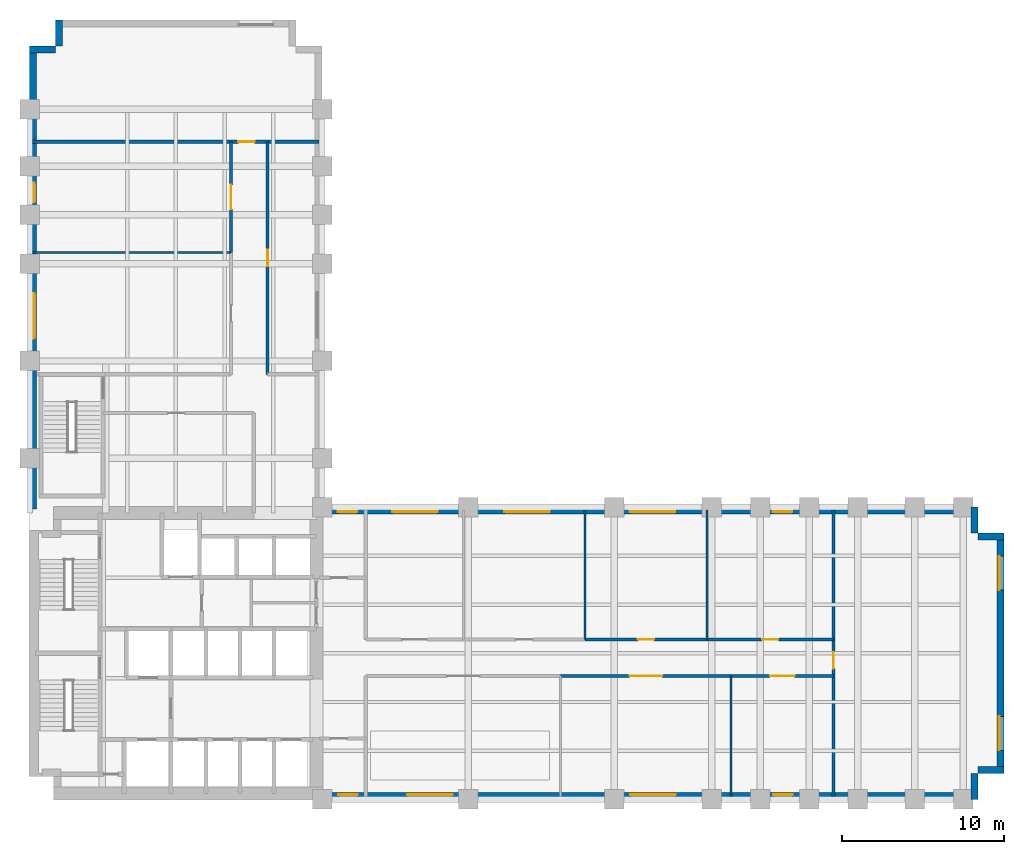
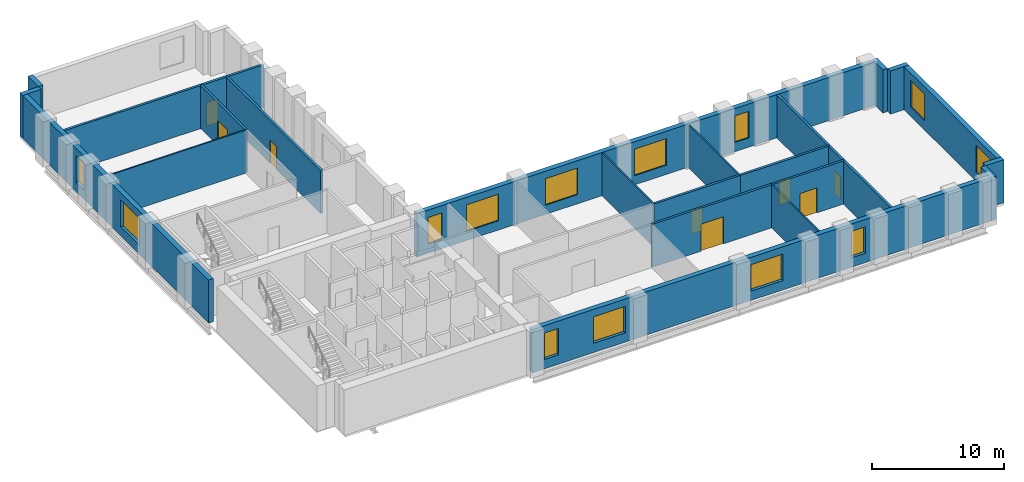
# One storey, part 5 of 7: 22 walls, 13 windows, 8 doors, 21 openings.
"""IFC4 building model written with IfcOpenShell, lengths in metres."""

from ifc_helpers import new_model, si_unit, direction, frame, frame_2d, origin, place, context, subcontext, project, spatial, rectangle, extrude, material, layer, layer_set, type_object, element, fill, save


model = new_model("IFC4")

# Units and contexts
model_context = context("Model", 3, precision=1e-05, world=origin(), true_north=direction((0.0, 1.0)))
body_context = subcontext(model_context, "Body", "Model", "MODEL_VIEW")
ifc_project = project(units=[si_unit("LENGTHUNIT", "METRE"), si_unit("AREAUNIT", "SQUARE_METRE"), si_unit("VOLUMEUNIT", "CUBIC_METRE"), si_unit("PLANEANGLEUNIT", "RADIAN"), si_unit("MASSUNIT", "GRAM", prefix="KILO")], contexts=[model_context])

# Site, building, storey
site_placement = place(None, origin())
site = spatial("IfcSite", under=ifc_project, at=site_placement, CompositionType="ELEMENT")
building_placement = place(site_placement, origin())
building = spatial("IfcBuilding", under=site, at=building_placement, Name="Mawjdan Bourse Tower", CompositionType="ELEMENT")
storey_placement = place(building_placement, frame((0.0, 0.0, 59.39990234375)))
storey = spatial("IfcBuildingStorey", under=building, at=storey_placement, Name="L13", CompositionType="ELEMENT", Elevation=59.39990234375)

# Wall, openings, windows
ifc_material_1 = material(Name="Brick Masonry Buff", Category="masonry")
ifc_layer_1 = layer(ifc_material_1, 0.419921875)
ifc_layer_set_1 = layer_set([ifc_layer_1], Name="Brick Masonry Buff")
wall_type_1 = type_object("IfcWallType", Name="WL-BRK-BUFF-420", PredefinedType="STANDARD", material=ifc_layer_set_1)
wall_1_placement = place(storey_placement, frame((23.89990234375, 3.2099609375, 0.0), z_axis=(0.0, 0.0, 1.0), x_axis=(1.0, 0.0, 0.0)))
wall_1 = element("IfcWall", 1, at=wall_1_placement, inside=storey, type_object=wall_type_1, Name="L13 Exterior Brick Wall 1", PredefinedType="STANDARD", context=body_context, shape_type="SweptSolid", body=[
    extrude(rectangle(XDim=40.5, YDim=0.419921875, at=frame_2d((20.25, 0.0))), origin(), (0.0, 0.0, 1.0), 3.97998046875),
])
opening_1_placement = place(wall_1_placement, frame((1.10009765625, 0.0, 0.85009765625)))
opening_1 = element("IfcOpeningElement", 2, at=opening_1_placement, cuts=wall_1, Name="Opening W-L13-07", PredefinedType="OPENING", context=body_context, shape_type="SweptSolid", body=[
    extrude(rectangle(XDim=1.199951171875, YDim=2.449951171875, at=frame_2d((0.60009765625, 1.22509765625))), frame((0.0, 0.219970703125, 0.0), z_axis=(0.0, -1.0, 0.0), x_axis=(1.0, 0.0, 0.0)), (0.0, 0.0, 1.0), 0.43994140625),
])
opening_2_placement = place(wall_1_placement, frame((5.336181640625, 0.0, 0.85009765625)))
opening_2 = element("IfcOpeningElement", 3, at=opening_2_placement, cuts=wall_1, Name="Opening W-L13-09", PredefinedType="OPENING", context=body_context, shape_type="SweptSolid", body=[
    extrude(rectangle(XDim=2.800048828125, YDim=2.449951171875, at=frame_2d((1.39990234375, 1.22509765625))), frame((0.0, 0.219970703125, 0.0), z_axis=(0.0, -1.0, 0.0), x_axis=(1.0, 0.0, 0.0)), (0.0, 0.0, 1.0), 0.43994140625),
])
opening_3_placement = place(wall_1_placement, frame((19.086181640625, 0.0, 0.85009765625)))
opening_3 = element("IfcOpeningElement", 4, at=opening_3_placement, cuts=wall_1, Name="Opening W-L13-10", PredefinedType="OPENING", context=body_context, shape_type="SweptSolid", body=[
    extrude(rectangle(XDim=2.800048828125, YDim=2.449951171875, at=frame_2d((1.39990234375, 1.22509765625))), frame((0.0, 0.219970703125, 0.0), z_axis=(0.0, -1.0, 0.0), x_axis=(1.0, 0.0, 0.0)), (0.0, 0.0, 1.0), 0.43994140625),
])
opening_4_placement = place(wall_1_placement, frame((27.88623046875, 0.0, 0.85009765625)))
opening_4 = element("IfcOpeningElement", 5, at=opening_4_placement, cuts=wall_1, Name="Opening W-L13-11", PredefinedType="OPENING", context=body_context, shape_type="SweptSolid", body=[
    extrude(rectangle(XDim=1.199951171875, YDim=2.449951171875, at=frame_2d((0.60009765625, 1.22509765625))), frame((0.0, 0.219970703125, 0.0), z_axis=(0.0, -1.0, 0.0), x_axis=(1.0, 0.0, 0.0)), (0.0, 0.0, 1.0), 0.43994140625),
])
ifc_material_2 = material(Name="Solar-Control Clear Double Glazing", Category="glass")
window_type_1 = type_object("IfcWindowType", Name="WN-TRD-1200", PartitioningType="SINGLE_PANEL", PredefinedType="WINDOW", material=ifc_material_2)
window_1_placement = place(opening_1_placement, origin())
window_1 = element("IfcWindow", 6, at=window_1_placement, inside=storey, type_object=window_type_1, Name="L13 Deep-Set Masonry Window W-L13-07", OverallHeight=2.449951171875, OverallWidth=1.199951171875, PartitioningType="SINGLE_PANEL", PredefinedType="WINDOW", context=body_context, shape_type="SweptSolid", body=[
    extrude(rectangle(XDim=1.199951171875, YDim=2.449951171875, at=frame_2d((0.60009765625, 1.22509765625))), frame((0.0, 0.110107421875, 0.0), z_axis=(0.0, -1.0, 0.0), x_axis=(1.0, 0.0, 0.0)), (0.0, 0.0, 1.0), 0.06005859375),
])
fill(opening_1, window_1)
window_2_placement = place(opening_4_placement, origin())
window_2 = element("IfcWindow", 7, at=window_2_placement, inside=storey, type_object=window_type_1, Name="L13 Deep-Set Masonry Window W-L13-11", OverallHeight=2.449951171875, OverallWidth=1.199951171875, PartitioningType="SINGLE_PANEL", PredefinedType="WINDOW", context=body_context, shape_type="SweptSolid", body=[
    extrude(rectangle(XDim=1.199951171875, YDim=2.449951171875, at=frame_2d((0.60009765625, 1.22509765625))), frame((0.0, 0.110107421875, 0.0), z_axis=(0.0, -1.0, 0.0), x_axis=(1.0, 0.0, 0.0)), (0.0, 0.0, 1.0), 0.06005859375),
])
fill(opening_4, window_2)
window_type_2 = type_object("IfcWindowType", Name="WN-TRD-2800", PartitioningType="SINGLE_PANEL", PredefinedType="WINDOW", material=ifc_material_2)
window_3_placement = place(opening_2_placement, origin())
window_3 = element("IfcWindow", 8, at=window_3_placement, inside=storey, type_object=window_type_2, Name="L13 Deep-Set Masonry Window W-L13-09", OverallHeight=2.449951171875, OverallWidth=2.800048828125, PartitioningType="SINGLE_PANEL", PredefinedType="WINDOW", context=body_context, shape_type="SweptSolid", body=[
    extrude(rectangle(XDim=2.800048828125, YDim=2.449951171875, at=frame_2d((1.39990234375, 1.22509765625))), frame((0.0, 0.110107421875, 0.0), z_axis=(0.0, -1.0, 0.0), x_axis=(1.0, 0.0, 0.0)), (0.0, 0.0, 1.0), 0.06005859375),
])
fill(opening_2, window_3)
window_4_placement = place(opening_3_placement, origin())
window_4 = element("IfcWindow", 9, at=window_4_placement, inside=storey, type_object=window_type_2, Name="L13 Deep-Set Masonry Window W-L13-10", OverallHeight=2.449951171875, OverallWidth=2.800048828125, PartitioningType="SINGLE_PANEL", PredefinedType="WINDOW", context=body_context, shape_type="SweptSolid", body=[
    extrude(rectangle(XDim=2.800048828125, YDim=2.449951171875, at=frame_2d((1.39990234375, 1.22509765625))), frame((0.0, 0.110107421875, 0.0), z_axis=(0.0, -1.0, 0.0), x_axis=(1.0, 0.0, 0.0)), (0.0, 0.0, 1.0), 0.06005859375),
])
fill(opening_3, window_4)

# Walls
for number, where, z_axis, x_axis, name in (
    (10, (64.18994140625, 3.0, 0.0), (0.0, 0.0, 1.0), (0.0, 1.0, 0.0), "L13 Exterior Brick Wall 2"),
    (11, (64.39990234375, 4.81005859375, 0.0), (0.0, 0.0, 1.0), (1.0, 0.0, 0.0), "L13 Exterior Brick Wall 3"),
):
    element("IfcWall", number, at=place(storey_placement, frame(where, z_axis=z_axis, x_axis=x_axis)), inside=storey, type_object=wall_type_1, Name=name, PredefinedType="STANDARD", context=body_context, shape_type="SweptSolid", body=[
        extrude(rectangle(XDim=1.60009765625, YDim=0.419921875, at=frame_2d((0.800048828125, 0.0))), origin(), (0.0, 0.0, 1.0), 3.97998046875),
    ])

# Wall, openings, windows
wall_2_placement = place(storey_placement, frame((65.7900390625, 4.60009765625, 0.0), z_axis=(0.0, 0.0, 1.0), x_axis=(0.0, 1.0, 0.0)))
wall_2 = element("IfcWall", 12, at=wall_2_placement, inside=storey, type_object=wall_type_1, Name="L13 Exterior Brick Wall 4", PredefinedType="STANDARD", context=body_context, shape_type="SweptSolid", body=[
    extrude(rectangle(XDim=14.7998046875, YDim=0.419921875, at=frame_2d((7.39990234375, 0.0))), origin(), (0.0, 0.0, 1.0), 3.97998046875),
])
opening_5_placement = place(wall_2_placement, frame((1.416748046875, 0.0, 0.85009765625)))
opening_5 = element("IfcOpeningElement", 13, at=opening_5_placement, cuts=wall_2, Name="Opening W-L13-01", PredefinedType="OPENING", context=body_context, shape_type="SweptSolid", body=[
    extrude(rectangle(XDim=2.10009765625, YDim=2.449951171875, at=frame_2d((1.050048828125, 1.22509765625))), frame((0.0, 0.219970703125, 0.0), z_axis=(0.0, -1.0, 0.0), x_axis=(1.0, 0.0, 0.0)), (0.0, 0.0, 1.0), 0.43994140625),
])
opening_6_placement = place(wall_2_placement, frame((11.283203125, 0.0, 0.85009765625)))
opening_6 = element("IfcOpeningElement", 14, at=opening_6_placement, cuts=wall_2, Name="Opening W-L13-02", PredefinedType="OPENING", context=body_context, shape_type="SweptSolid", body=[
    extrude(rectangle(XDim=2.10009765625, YDim=2.449951171875, at=frame_2d((1.050048828125, 1.22509765625))), frame((0.0, 0.219970703125, 0.0), z_axis=(0.0, -1.0, 0.0), x_axis=(1.0, 0.0, 0.0)), (0.0, 0.0, 1.0), 0.43994140625),
])
window_type_3 = type_object("IfcWindowType", Name="WN-TRD-2100", PartitioningType="SINGLE_PANEL", PredefinedType="WINDOW", material=ifc_material_2)
window_5_placement = place(opening_5_placement, origin())
window_5 = element("IfcWindow", 15, at=window_5_placement, inside=storey, type_object=window_type_3, Name="L13 Deep-Set Masonry Window W-L13-01", OverallHeight=2.449951171875, OverallWidth=2.10009765625, PartitioningType="SINGLE_PANEL", PredefinedType="WINDOW", context=body_context, shape_type="SweptSolid", body=[
    extrude(rectangle(XDim=2.10009765625, YDim=2.449951171875, at=frame_2d((1.050048828125, 1.22509765625))), frame((0.0, 0.110107421875, 0.0), z_axis=(0.0, -1.0, 0.0), x_axis=(1.0, 0.0, 0.0)), (0.0, 0.0, 1.0), 0.06005859375),
])
fill(opening_5, window_5)
window_6_placement = place(opening_6_placement, origin())
window_6 = element("IfcWindow", 16, at=window_6_placement, inside=storey, type_object=window_type_3, Name="L13 Deep-Set Masonry Window W-L13-02", OverallHeight=2.449951171875, OverallWidth=2.10009765625, PartitioningType="SINGLE_PANEL", PredefinedType="WINDOW", context=body_context, shape_type="SweptSolid", body=[
    extrude(rectangle(XDim=2.10009765625, YDim=2.449951171875, at=frame_2d((1.050048828125, 1.22509765625))), frame((0.0, 0.110107421875, 0.0), z_axis=(0.0, -1.0, 0.0), x_axis=(1.0, 0.0, 0.0)), (0.0, 0.0, 1.0), 0.06005859375),
])
fill(opening_6, window_6)

# Walls
for number, where, z_axis, x_axis, name in (
    (17, (66.0, 19.18994140625, 0.0), (0.0, 0.0, 1.0), (-1.0, 0.0, 0.0), "L13 Exterior Brick Wall 5"),
    (18, (64.18994140625, 19.39990234375, 0.0), (0.0, 0.0, 1.0), (0.0, 1.0, 0.0), "L13 Exterior Brick Wall 6"),
):
    element("IfcWall", number, at=place(storey_placement, frame(where, z_axis=z_axis, x_axis=x_axis)), inside=storey, type_object=wall_type_1, Name=name, PredefinedType="STANDARD", context=body_context, shape_type="SweptSolid", body=[
        extrude(rectangle(XDim=1.60009765625, YDim=0.419921875, at=frame_2d((0.800048828125, 0.0))), origin(), (0.0, 0.0, 1.0), 3.97998046875),
    ])

# Wall, openings, windows
wall_3_placement = place(storey_placement, frame((64.39990234375, 20.7900390625, 0.0), z_axis=(0.0, 0.0, 1.0), x_axis=(-1.0, 0.0, 0.0)))
wall_3 = element("IfcWall", 19, at=wall_3_placement, inside=storey, type_object=wall_type_1, Name="L13 Exterior Brick Wall 7", PredefinedType="STANDARD", context=body_context, shape_type="SweptSolid", body=[
    extrude(rectangle(XDim=40.39990234375, YDim=0.419921875, at=frame_2d((20.199951171875, 0.0))), origin(), (0.0, 0.0, 1.0), 3.97998046875),
])
opening_7_placement = place(wall_3_placement, frame((26.375, 0.0, 0.85009765625)))
opening_7 = element("IfcOpeningElement", 20, at=opening_7_placement, cuts=wall_3, Name="Opening W-L13-03", PredefinedType="OPENING", context=body_context, shape_type="SweptSolid", body=[
    extrude(rectangle(XDim=2.800048828125, YDim=2.449951171875, at=frame_2d((1.39990234375, 1.22509765625))), frame((0.0, 0.219970703125, 0.0), z_axis=(0.0, -1.0, 0.0), x_axis=(1.0, 0.0, 0.0)), (0.0, 0.0, 1.0), 0.43994140625),
])
opening_8_placement = place(wall_3_placement, frame((38.22216796875, 0.0, 0.85009765625)))
opening_8 = element("IfcOpeningElement", 21, at=opening_8_placement, cuts=wall_3, Name="Opening W-L13-08", PredefinedType="OPENING", context=body_context, shape_type="SweptSolid", body=[
    extrude(rectangle(XDim=1.199951171875, YDim=2.449951171875, at=frame_2d((0.60009765625, 1.22509765625))), frame((0.0, 0.219970703125, 0.0), z_axis=(0.0, -1.0, 0.0), x_axis=(1.0, 0.0, 0.0)), (0.0, 0.0, 1.0), 0.43994140625),
])
opening_9_placement = place(wall_3_placement, frame((33.2861328125, 0.0, 0.85009765625)))
opening_9 = element("IfcOpeningElement", 22, at=opening_9_placement, cuts=wall_3, Name="Opening W-L13-12", PredefinedType="OPENING", context=body_context, shape_type="SweptSolid", body=[
    extrude(rectangle(XDim=2.800048828125, YDim=2.449951171875, at=frame_2d((1.39990234375, 1.22509765625))), frame((0.0, 0.219970703125, 0.0), z_axis=(0.0, -1.0, 0.0), x_axis=(1.0, 0.0, 0.0)), (0.0, 0.0, 1.0), 0.43994140625),
])
opening_10_placement = place(wall_3_placement, frame((18.63623046875, 0.0, 0.85009765625)))
opening_10 = element("IfcOpeningElement", 23, at=opening_10_placement, cuts=wall_3, Name="Opening W-L13-13", PredefinedType="OPENING", context=body_context, shape_type="SweptSolid", body=[
    extrude(rectangle(XDim=2.800048828125, YDim=2.449951171875, at=frame_2d((1.39990234375, 1.22509765625))), frame((0.0, 0.219970703125, 0.0), z_axis=(0.0, -1.0, 0.0), x_axis=(1.0, 0.0, 0.0)), (0.0, 0.0, 1.0), 0.43994140625),
])
opening_11_placement = place(wall_3_placement, frame((11.436279296875, 0.0, 0.85009765625)))
opening_11 = element("IfcOpeningElement", 24, at=opening_11_placement, cuts=wall_3, Name="Opening W-L13-14", PredefinedType="OPENING", context=body_context, shape_type="SweptSolid", body=[
    extrude(rectangle(XDim=1.199951171875, YDim=2.449951171875, at=frame_2d((0.60009765625, 1.22509765625))), frame((0.0, 0.219970703125, 0.0), z_axis=(0.0, -1.0, 0.0), x_axis=(1.0, 0.0, 0.0)), (0.0, 0.0, 1.0), 0.43994140625),
])
window_7_placement = place(opening_8_placement, origin())
window_7 = element("IfcWindow", 25, at=window_7_placement, inside=storey, type_object=window_type_1, Name="L13 Deep-Set Masonry Window W-L13-08", OverallHeight=2.449951171875, OverallWidth=1.199951171875, PartitioningType="SINGLE_PANEL", PredefinedType="WINDOW", context=body_context, shape_type="SweptSolid", body=[
    extrude(rectangle(XDim=1.199951171875, YDim=2.449951171875, at=frame_2d((0.60009765625, 1.22509765625))), frame((0.0, 0.110107421875, 0.0), z_axis=(0.0, -1.0, 0.0), x_axis=(1.0, 0.0, 0.0)), (0.0, 0.0, 1.0), 0.06005859375),
])
fill(opening_8, window_7)
window_8_placement = place(opening_11_placement, origin())
window_8 = element("IfcWindow", 26, at=window_8_placement, inside=storey, type_object=window_type_1, Name="L13 Deep-Set Masonry Window W-L13-14", OverallHeight=2.449951171875, OverallWidth=1.199951171875, PartitioningType="SINGLE_PANEL", PredefinedType="WINDOW", context=body_context, shape_type="SweptSolid", body=[
    extrude(rectangle(XDim=1.199951171875, YDim=2.449951171875, at=frame_2d((0.60009765625, 1.22509765625))), frame((0.0, 0.110107421875, 0.0), z_axis=(0.0, -1.0, 0.0), x_axis=(1.0, 0.0, 0.0)), (0.0, 0.0, 1.0), 0.06005859375),
])
fill(opening_11, window_8)
window_9_placement = place(opening_7_placement, origin())
window_9 = element("IfcWindow", 27, at=window_9_placement, inside=storey, type_object=window_type_2, Name="L13 Deep-Set Masonry Window W-L13-03", OverallHeight=2.449951171875, OverallWidth=2.800048828125, PartitioningType="SINGLE_PANEL", PredefinedType="WINDOW", context=body_context, shape_type="SweptSolid", body=[
    extrude(rectangle(XDim=2.800048828125, YDim=2.449951171875, at=frame_2d((1.39990234375, 1.22509765625))), frame((0.0, 0.110107421875, 0.0), z_axis=(0.0, -1.0, 0.0), x_axis=(1.0, 0.0, 0.0)), (0.0, 0.0, 1.0), 0.06005859375),
])
fill(opening_7, window_9)
window_10_placement = place(opening_9_placement, origin())
window_10 = element("IfcWindow", 28, at=window_10_placement, inside=storey, type_object=window_type_2, Name="L13 Deep-Set Masonry Window W-L13-12", OverallHeight=2.449951171875, OverallWidth=2.800048828125, PartitioningType="SINGLE_PANEL", PredefinedType="WINDOW", context=body_context, shape_type="SweptSolid", body=[
    extrude(rectangle(XDim=2.800048828125, YDim=2.449951171875, at=frame_2d((1.39990234375, 1.22509765625))), frame((0.0, 0.110107421875, 0.0), z_axis=(0.0, -1.0, 0.0), x_axis=(1.0, 0.0, 0.0)), (0.0, 0.0, 1.0), 0.06005859375),
])
fill(opening_9, window_10)
window_11_placement = place(opening_10_placement, origin())
window_11 = element("IfcWindow", 29, at=window_11_placement, inside=storey, type_object=window_type_2, Name="L13 Deep-Set Masonry Window W-L13-13", OverallHeight=2.449951171875, OverallWidth=2.800048828125, PartitioningType="SINGLE_PANEL", PredefinedType="WINDOW", context=body_context, shape_type="SweptSolid", body=[
    extrude(rectangle(XDim=2.800048828125, YDim=2.449951171875, at=frame_2d((1.39990234375, 1.22509765625))), frame((0.0, 0.110107421875, 0.0), z_axis=(0.0, -1.0, 0.0), x_axis=(1.0, 0.0, 0.0)), (0.0, 0.0, 1.0), 0.06005859375),
])
fill(opening_10, window_11)

# Walls
for number, where, z_axis, x_axis, name in (
    (30, (7.81005859375, 51.0, 0.0), (0.0, 0.0, 1.0), (0.0, -1.0, 0.0), "L13 Exterior Brick Wall 12"),
    (31, (7.60009765625, 49.18994140625, 0.0), (0.0, 0.0, 1.0), (-1.0, 0.0, 0.0), "L13 Exterior Brick Wall 13"),
):
    element("IfcWall", number, at=place(storey_placement, frame(where, z_axis=z_axis, x_axis=x_axis)), inside=storey, type_object=wall_type_1, Name=name, PredefinedType="STANDARD", context=body_context, shape_type="SweptSolid", body=[
        extrude(rectangle(XDim=1.60009765625, YDim=0.419921875, at=frame_2d((0.800048828125, 0.0))), origin(), (0.0, 0.0, 1.0), 3.97998046875),
    ])

# Wall, openings, windows
wall_4_placement = place(storey_placement, frame((6.2099609375, 49.39990234375, 0.0), z_axis=(0.0, 0.0, 1.0), x_axis=(0.0, -1.0, 0.0)))
wall_4 = element("IfcWall", 32, at=wall_4_placement, inside=storey, type_object=wall_type_1, Name="L13 Exterior Brick Wall 14", PredefinedType="STANDARD", context=body_context, shape_type="SweptSolid", body=[
    extrude(rectangle(XDim=28.5, YDim=0.419921875, at=frame_2d((14.25, 0.0))), origin(), (0.0, 0.0, 1.0), 3.97998046875),
])
opening_12_placement = place(wall_4_placement, frame((15.22509765625, 0.0, 0.85009765625)))
opening_12 = element("IfcOpeningElement", 33, at=opening_12_placement, cuts=wall_4, Name="Opening W-L13-06", PredefinedType="OPENING", context=body_context, shape_type="SweptSolid", body=[
    extrude(rectangle(XDim=2.800048828125, YDim=2.449951171875, at=frame_2d((1.39990234375, 1.22509765625))), frame((0.0, 0.219970703125, 0.0), z_axis=(0.0, -1.0, 0.0), x_axis=(1.0, 0.0, 0.0)), (0.0, 0.0, 1.0), 0.43994140625),
])
opening_13_placement = place(wall_4_placement, frame((8.436279296875, 0.0, 0.85009765625)))
opening_13 = element("IfcOpeningElement", 34, at=opening_13_placement, cuts=wall_4, Name="Opening W-L13-15", PredefinedType="OPENING", context=body_context, shape_type="SweptSolid", body=[
    extrude(rectangle(XDim=1.199951171875, YDim=2.449951171875, at=frame_2d((0.60009765625, 1.22509765625))), frame((0.0, 0.219970703125, 0.0), z_axis=(0.0, -1.0, 0.0), x_axis=(1.0, 0.0, 0.0)), (0.0, 0.0, 1.0), 0.43994140625),
])
window_12_placement = place(opening_13_placement, origin())
window_12 = element("IfcWindow", 35, at=window_12_placement, inside=storey, type_object=window_type_1, Name="L13 Deep-Set Masonry Window W-L13-15", OverallHeight=2.449951171875, OverallWidth=1.199951171875, PartitioningType="SINGLE_PANEL", PredefinedType="WINDOW", context=body_context, shape_type="SweptSolid", body=[
    extrude(rectangle(XDim=1.199951171875, YDim=2.449951171875, at=frame_2d((0.60009765625, 1.22509765625))), frame((0.0, 0.110107421875, 0.0), z_axis=(0.0, -1.0, 0.0), x_axis=(1.0, 0.0, 0.0)), (0.0, 0.0, 1.0), 0.06005859375),
])
fill(opening_13, window_12)
window_13_placement = place(opening_12_placement, origin())
window_13 = element("IfcWindow", 36, at=window_13_placement, inside=storey, type_object=window_type_2, Name="L13 Deep-Set Masonry Window W-L13-06", OverallHeight=2.449951171875, OverallWidth=2.800048828125, PartitioningType="SINGLE_PANEL", PredefinedType="WINDOW", context=body_context, shape_type="SweptSolid", body=[
    extrude(rectangle(XDim=2.800048828125, YDim=2.449951171875, at=frame_2d((1.39990234375, 1.22509765625))), frame((0.0, 0.110107421875, 0.0), z_axis=(0.0, -1.0, 0.0), x_axis=(1.0, 0.0, 0.0)), (0.0, 0.0, 1.0), 0.06005859375),
])
fill(opening_12, window_13)

# Wall, opening, door
ifc_material_3 = material(Name="Gypsum Fireboard Assembly")
ifc_layer_2 = layer(ifc_material_3, 0.199951171875)
ifc_layer_set_2 = layer_set([ifc_layer_2], Name="Gypsum Fireboard Assembly")
wall_type_2 = type_object("IfcWallType", Name="WL-CMP-200", PredefinedType="PARTITIONING", material=ifc_layer_set_2)
wall_5_placement = place(storey_placement, frame((38.699951171875, 10.60009765625, 0.0), z_axis=(0.0, 0.0, 1.0), x_axis=(1.0, 0.0, 0.0)))
wall_5 = element("IfcWall", 37, at=wall_5_placement, inside=storey, type_object=wall_type_2, Name="L13 Commodities Dealing Hall Corridor Wall", PredefinedType="PARTITIONING", context=body_context, shape_type="SweptSolid", body=[
    extrude(rectangle(XDim=10.5, YDim=0.199951171875, at=frame_2d((5.25, 0.0))), origin(), (0.0, 0.0, 1.0), 3.97021484375),
])
opening_14_placement = place(wall_5_placement, frame((4.25, 0.0, 0.0)))
opening_14 = element("IfcOpeningElement", 38, at=opening_14_placement, cuts=wall_5, Name="Opening D-L13-21", PredefinedType="OPENING", context=body_context, shape_type="SweptSolid", body=[
    extrude(rectangle(XDim=2.0, YDim=2.5, at=frame_2d((1.0, 1.25))), frame((0.0, 0.10986328125, 0.0), z_axis=(0.0, -1.0, 0.0), x_axis=(1.0, 0.0, 0.0)), (0.0, 0.0, 1.0), 0.219970703125),
])
ifc_material_4 = material(Name="Acoustic Veneered Timber", Category="wood")
door_type_1 = type_object("IfcDoorType", Name="DR-ASM-2000", OperationType="DOUBLE_DOOR_SINGLE_SWING", PredefinedType="DOOR", material=ifc_material_4)
door_1_placement = place(opening_14_placement, origin())
door_1 = element("IfcDoor", 39, at=door_1_placement, inside=storey, type_object=door_type_1, Name="L13 Commodities Dealing Hall Door D-L13-21", OperationType="DOUBLE_DOOR_SINGLE_SWING", OverallHeight=2.5, OverallWidth=2.0, PredefinedType="DOOR", context=body_context, shape_type="SweptSolid", body=[
    extrude(rectangle(XDim=2.0, YDim=2.5, at=frame_2d((1.0, 1.25))), frame((0.0, 0.02490234375, 0.0), z_axis=(0.0, -1.0, 0.0), x_axis=(1.0, 0.0, 0.0)), (0.0, 0.0, 1.0), 0.050048828125),
])
fill(opening_14, door_1)

wall_6_placement = place(storey_placement, frame((49.199951171875, 10.60009765625, 0.0), z_axis=(0.0, 0.0, 1.0), x_axis=(1.0, 0.0, 0.0)))
wall_6 = element("IfcWall", 40, at=wall_6_placement, inside=storey, type_object=wall_type_2, Name="L13 Conference Room Corridor Wall", PredefinedType="PARTITIONING", context=body_context, shape_type="SweptSolid", body=[
    extrude(rectangle(XDim=6.300048828125, YDim=0.199951171875, at=frame_2d((3.14990234375, 0.0))), origin(), (0.0, 0.0, 1.0), 3.97021484375),
])
opening_15_placement = place(wall_6_placement, frame((2.39990234375, 0.0, 0.0)))
opening_15 = element("IfcOpeningElement", 41, at=opening_15_placement, cuts=wall_6, Name="Opening D-L13-22", PredefinedType="OPENING", context=body_context, shape_type="SweptSolid", body=[
    extrude(rectangle(XDim=1.5, YDim=2.300048828125, at=frame_2d((0.75, 1.14990234375))), frame((0.0, 0.10986328125, 0.0), z_axis=(0.0, -1.0, 0.0), x_axis=(1.0, 0.0, 0.0)), (0.0, 0.0, 1.0), 0.219970703125),
])
ifc_material_5 = material(Name="Acoustic Glazed Timber", Category="wood")
door_type_2 = type_object("IfcDoorType", Name="DR-CNF-1500", OperationType="DOUBLE_DOOR_SINGLE_SWING", PredefinedType="DOOR", material=ifc_material_5)
door_2_placement = place(opening_15_placement, origin())
door_2 = element("IfcDoor", 42, at=door_2_placement, inside=storey, type_object=door_type_2, Name="L13 Conference Room Door D-L13-22", OperationType="DOUBLE_DOOR_SINGLE_SWING", OverallHeight=2.300048828125, OverallWidth=1.5, PredefinedType="DOOR", context=body_context, shape_type="SweptSolid", body=[
    extrude(rectangle(XDim=1.5, YDim=2.300048828125, at=frame_2d((0.75, 1.14990234375))), frame((0.0, 0.02490234375, 0.0), z_axis=(0.0, -1.0, 0.0), x_axis=(1.0, 0.0, 0.0)), (0.0, 0.0, 1.0), 0.050048828125),
])
fill(opening_15, door_2)

wall_7_placement = place(storey_placement, frame((40.199951171875, 12.85009765625, 0.0), z_axis=(0.0, 0.0, 1.0), x_axis=(1.0, 0.0, 0.0)))
wall_7 = element("IfcWall", 43, at=wall_7_placement, inside=storey, type_object=wall_type_2, Name="L13 Executive Office Corridor Wall", PredefinedType="PARTITIONING", context=body_context, shape_type="SweptSolid", body=[
    extrude(rectangle(XDim=7.5, YDim=0.199951171875, at=frame_2d((3.75, 0.0))), origin(), (0.0, 0.0, 1.0), 3.97021484375),
])
opening_16_placement = place(wall_7_placement, frame((3.25, 0.0, 0.0)))
opening_16 = element("IfcOpeningElement", 44, at=opening_16_placement, cuts=wall_7, Name="Opening D-L13-25", PredefinedType="OPENING", context=body_context, shape_type="SweptSolid", body=[
    extrude(rectangle(XDim=1.0, YDim=2.14990234375, at=frame_2d((0.5, 1.074951171875))), frame((0.0, 0.10986328125, 0.0), z_axis=(0.0, -1.0, 0.0), x_axis=(1.0, 0.0, 0.0)), (0.0, 0.0, 1.0), 0.219970703125),
])
ifc_material_6 = material(Name="Hardwood Acoustic Leaf", Category="wood")
door_type_3 = type_object("IfcDoorType", Name="DR-OFC-1000", OperationType="NOTDEFINED", PredefinedType="DOOR", material=ifc_material_6)
door_3_placement = place(opening_16_placement, origin())
door_3 = element("IfcDoor", 45, at=door_3_placement, inside=storey, type_object=door_type_3, Name="L13 Executive Office Door D-L13-25", OperationType="SINGLE_SWING_LEFT", OverallHeight=2.14990234375, OverallWidth=1.0, PredefinedType="DOOR", context=body_context, shape_type="SweptSolid", body=[
    extrude(rectangle(XDim=1.0, YDim=2.14990234375, at=frame_2d((0.5, 1.074951171875))), frame((0.0, 0.02490234375, 0.0), z_axis=(0.0, -1.0, 0.0), x_axis=(1.0, 0.0, 0.0)), (0.0, 0.0, 1.0), 0.050048828125),
])
fill(opening_16, door_3)

wall_8_placement = place(storey_placement, frame((47.699951171875, 12.85009765625, 0.0), z_axis=(0.0, 0.0, 1.0), x_axis=(1.0, 0.0, 0.0)))
wall_8 = element("IfcWall", 46, at=wall_8_placement, inside=storey, type_object=wall_type_2, Name="L13 Document Archive Store Corridor Wall", PredefinedType="PARTITIONING", context=body_context, shape_type="SweptSolid", body=[
    extrude(rectangle(XDim=7.800048828125, YDim=0.199951171875, at=frame_2d((3.89990234375, 0.0))), origin(), (0.0, 0.0, 1.0), 3.97021484375),
])
opening_17_placement = place(wall_8_placement, frame((3.39990234375, 0.0, 0.0)))
opening_17 = element("IfcOpeningElement", 47, at=opening_17_placement, cuts=wall_8, Name="Opening D-L13-26", PredefinedType="OPENING", context=body_context, shape_type="SweptSolid", body=[
    extrude(rectangle(XDim=1.0, YDim=2.14990234375, at=frame_2d((0.5, 1.074951171875))), frame((0.0, 0.10986328125, 0.0), z_axis=(0.0, -1.0, 0.0), x_axis=(1.0, 0.0, 0.0)), (0.0, 0.0, 1.0), 0.219970703125),
])
door_4_placement = place(opening_17_placement, origin())
door_4 = element("IfcDoor", 48, at=door_4_placement, inside=storey, type_object=door_type_3, Name="L13 Document Archive Store Door D-L13-26", OperationType="SINGLE_SWING_RIGHT", OverallHeight=2.14990234375, OverallWidth=1.0, PredefinedType="DOOR", context=body_context, shape_type="SweptSolid", body=[
    extrude(rectangle(XDim=1.0, YDim=2.14990234375, at=frame_2d((0.5, 1.074951171875))), frame((0.0, 0.02490234375, 0.0), z_axis=(0.0, -1.0, 0.0), x_axis=(1.0, 0.0, 0.0)), (0.0, 0.0, 1.0), 0.050048828125),
])
fill(opening_17, door_4)

wall_9_placement = place(storey_placement, frame((55.5, 3.179931640625, 0.0), z_axis=(0.0, 0.0, 1.0), x_axis=(0.0, 1.0, 0.0)))
wall_9 = element("IfcWall", 49, at=wall_9_placement, inside=storey, type_object=wall_type_2, Name="L13 East Tip Full Cross Wall", PredefinedType="PARTITIONING", context=body_context, shape_type="SweptSolid", body=[
    extrude(rectangle(XDim=17.64013671875, YDim=0.199951171875, at=frame_2d((8.820068359375, 0.0))), origin(), (0.0, 0.0, 1.0), 3.97021484375),
])
opening_18_placement = place(wall_9_placement, frame((7.875, 0.0, 0.0)))
opening_18 = element("IfcOpeningElement", 50, at=opening_18_placement, cuts=wall_9, Name="Opening D-L13-27", PredefinedType="OPENING", context=body_context, shape_type="SweptSolid", body=[
    extrude(rectangle(XDim=1.0, YDim=2.14990234375, at=frame_2d((0.5, 1.074951171875))), frame((0.0, 0.10986328125, 0.0), z_axis=(0.0, -1.0, 0.0), x_axis=(1.0, 0.0, 0.0)), (0.0, 0.0, 1.0), 0.219970703125),
])
door_5_placement = place(opening_18_placement, origin())
door_5 = element("IfcDoor", 51, at=door_5_placement, inside=storey, type_object=door_type_3, Name="L13 East Tip Hall Door D-L13-27", OperationType="SINGLE_SWING_LEFT", OverallHeight=2.14990234375, OverallWidth=1.0, PredefinedType="DOOR", context=body_context, shape_type="SweptSolid", body=[
    extrude(rectangle(XDim=1.0, YDim=2.14990234375, at=frame_2d((0.5, 1.074951171875))), frame((0.0, 0.02490234375, 0.0), z_axis=(0.0, -1.0, 0.0), x_axis=(1.0, 0.0, 0.0)), (0.0, 0.0, 1.0), 0.050048828125),
])
fill(opening_18, door_5)

wall_10_placement = place(storey_placement, frame((18.39990234375, 36.679931640625, 0.0), z_axis=(0.0, 0.0, 1.0), x_axis=(0.0, 1.0, 0.0)))
wall_10 = element("IfcWall", 52, at=wall_10_placement, inside=storey, type_object=wall_type_2, Name="L13 Conference Room Corridor Wall", PredefinedType="PARTITIONING", context=body_context, shape_type="SweptSolid", body=[
    extrude(rectangle(XDim=6.820068359375, YDim=0.199951171875, at=frame_2d((3.41015625, 0.0))), origin(), (0.0, 0.0, 1.0), 3.97021484375),
])
opening_19_placement = place(wall_10_placement, frame((2.659912109375, 0.0, 0.0)))
opening_19 = element("IfcOpeningElement", 53, at=opening_19_placement, cuts=wall_10, Name="Opening D-L13-30", PredefinedType="OPENING", context=body_context, shape_type="SweptSolid", body=[
    extrude(rectangle(XDim=1.5, YDim=2.300048828125, at=frame_2d((0.75, 1.14990234375))), frame((0.0, 0.10986328125, 0.0), z_axis=(0.0, -1.0, 0.0), x_axis=(1.0, 0.0, 0.0)), (0.0, 0.0, 1.0), 0.219970703125),
])
door_6_placement = place(opening_19_placement, origin())
door_6 = element("IfcDoor", 54, at=door_6_placement, inside=storey, type_object=door_type_2, Name="L13 Conference Room Door D-L13-30", OperationType="DOUBLE_DOOR_SINGLE_SWING", OverallHeight=2.300048828125, OverallWidth=1.5, PredefinedType="DOOR", context=body_context, shape_type="SweptSolid", body=[
    extrude(rectangle(XDim=1.5, YDim=2.300048828125, at=frame_2d((0.75, 1.14990234375))), frame((0.0, 0.02490234375, 0.0), z_axis=(0.0, -1.0, 0.0), x_axis=(1.0, 0.0, 0.0)), (0.0, 0.0, 1.0), 0.050048828125),
])
fill(opening_19, door_6)

wall_11_placement = place(storey_placement, frame((20.64990234375, 29.179931640625, 0.0), z_axis=(0.0, 0.0, 1.0), x_axis=(0.0, 1.0, 0.0)))
wall_11 = element("IfcWall", 55, at=wall_11_placement, inside=storey, type_object=wall_type_2, Name="L13 Client Meeting Room Corridor Wall", PredefinedType="PARTITIONING", context=body_context, shape_type="SweptSolid", body=[
    extrude(rectangle(XDim=14.320068359375, YDim=0.199951171875, at=frame_2d((7.16015625, 0.0))), origin(), (0.0, 0.0, 1.0), 3.97021484375),
])
opening_20_placement = place(wall_11_placement, frame((6.659912109375, 0.0, 0.0)))
opening_20 = element("IfcOpeningElement", 56, at=opening_20_placement, cuts=wall_11, Name="Opening D-L13-31", PredefinedType="OPENING", context=body_context, shape_type="SweptSolid", body=[
    extrude(rectangle(XDim=1.0, YDim=2.14990234375, at=frame_2d((0.5, 1.074951171875))), frame((0.0, 0.10986328125, 0.0), z_axis=(0.0, -1.0, 0.0), x_axis=(1.0, 0.0, 0.0)), (0.0, 0.0, 1.0), 0.219970703125),
])
door_7_placement = place(opening_20_placement, origin())
door_7 = element("IfcDoor", 57, at=door_7_placement, inside=storey, type_object=door_type_3, Name="L13 Client Meeting Room Door D-L13-31", OperationType="SINGLE_SWING_RIGHT", OverallHeight=2.14990234375, OverallWidth=1.0, PredefinedType="DOOR", context=body_context, shape_type="SweptSolid", body=[
    extrude(rectangle(XDim=1.0, YDim=2.14990234375, at=frame_2d((0.5, 1.074951171875))), frame((0.0, 0.02490234375, 0.0), z_axis=(0.0, -1.0, 0.0), x_axis=(1.0, 0.0, 0.0)), (0.0, 0.0, 1.0), 0.050048828125),
])
fill(opening_20, door_7)

wall_12_placement = place(storey_placement, frame((6.179931640625, 43.5, 0.0), z_axis=(0.0, 0.0, 1.0), x_axis=(1.0, 0.0, 0.0)))
wall_12 = element("IfcWall", 58, at=wall_12_placement, inside=storey, type_object=wall_type_2, Name="L13 North Tip Full Cross Wall", PredefinedType="PARTITIONING", context=body_context, shape_type="SweptSolid", body=[
    extrude(rectangle(XDim=17.64013671875, YDim=0.199951171875, at=frame_2d((8.820068359375, 0.0))), origin(), (0.0, 0.0, 1.0), 3.97021484375),
])
opening_21_placement = place(wall_12_placement, frame((12.675048828125, 0.0, 0.0)))
opening_21 = element("IfcOpeningElement", 59, at=opening_21_placement, cuts=wall_12, Name="Opening D-L13-32", PredefinedType="OPENING", context=body_context, shape_type="SweptSolid", body=[
    extrude(rectangle(XDim=1.0, YDim=2.14990234375, at=frame_2d((0.5, 1.074951171875))), frame((0.0, 0.10986328125, 0.0), z_axis=(0.0, -1.0, 0.0), x_axis=(1.0, 0.0, 0.0)), (0.0, 0.0, 1.0), 0.219970703125),
])
door_8_placement = place(opening_21_placement, origin())
door_8 = element("IfcDoor", 60, at=door_8_placement, inside=storey, type_object=door_type_3, Name="L13 North Tip Suite Door D-L13-32", OperationType="SINGLE_SWING_LEFT", OverallHeight=2.14990234375, OverallWidth=1.0, PredefinedType="DOOR", context=body_context, shape_type="SweptSolid", body=[
    extrude(rectangle(XDim=1.0, YDim=2.14990234375, at=frame_2d((0.5, 1.074951171875))), frame((0.0, 0.02490234375, 0.0), z_axis=(0.0, -1.0, 0.0), x_axis=(1.0, 0.0, 0.0)), (0.0, 0.0, 1.0), 0.050048828125),
])
fill(opening_21, door_8)

# Walls
ifc_material_7 = material(Name="Gypsum Partition")
ifc_layer_3 = layer(ifc_material_7, 0.125)
ifc_layer_set_3 = layer_set([ifc_layer_3], Name="Gypsum Partition")
wall_type_3 = type_object("IfcWallType", Name="WL-PRT-125", PredefinedType="PARTITIONING", material=ifc_layer_set_3)
wall_13_placement = place(storey_placement, frame((49.199951171875, 3.179931640625, 0.0), z_axis=(0.0, 0.0, 1.0), x_axis=(0.0, 1.0, 0.0)))
element("IfcWall", 61, at=wall_13_placement, inside=storey, type_object=wall_type_3, Name="L13 Conference Room Partition", PredefinedType="PARTITIONING", context=body_context, shape_type="SweptSolid", body=[
    extrude(rectangle(XDim=7.420166015625, YDim=0.125, at=frame_2d((3.7099609375, 0.0))), origin(), (0.0, 0.0, 1.0), 3.97021484375),
])
for number, where, z_axis, x_axis, name in (
    (62, (40.199951171875, 12.85009765625, 0.0), (0.0, 0.0, 1.0), (0.0, 1.0, 0.0), "L13 Executive Office Partition"),
    (63, (47.699951171875, 12.85009765625, 0.0), (0.0, 0.0, 1.0), (0.0, 1.0, 0.0), "L13 Document Archive Store Partition"),
):
    element("IfcWall", number, at=place(storey_placement, frame(where, z_axis=z_axis, x_axis=x_axis)), inside=storey, type_object=wall_type_3, Name=name, PredefinedType="PARTITIONING", context=body_context, shape_type="SweptSolid", body=[
        extrude(rectangle(XDim=7.969970703125, YDim=0.125, at=frame_2d((3.98486328125, 0.0))), origin(), (0.0, 0.0, 1.0), 3.97021484375),
    ])
wall_14_placement = place(storey_placement, frame((6.179931640625, 36.679931640625, 0.0), z_axis=(0.0, 0.0, 1.0), x_axis=(1.0, 0.0, 0.0)))
element("IfcWall", 64, at=wall_14_placement, inside=storey, type_object=wall_type_3, Name="L13 Conference Room Partition", PredefinedType="PARTITIONING", context=body_context, shape_type="SweptSolid", body=[
    extrude(rectangle(XDim=12.219970703125, YDim=0.125, at=frame_2d((6.10986328125, 0.0))), origin(), (0.0, 0.0, 1.0), 3.97021484375),
])

save(model, "model.ifc")
